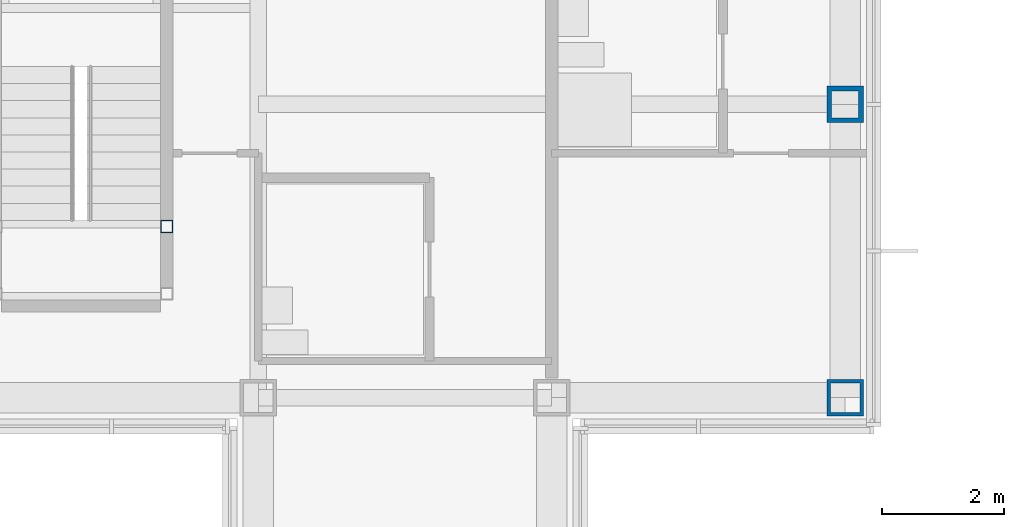
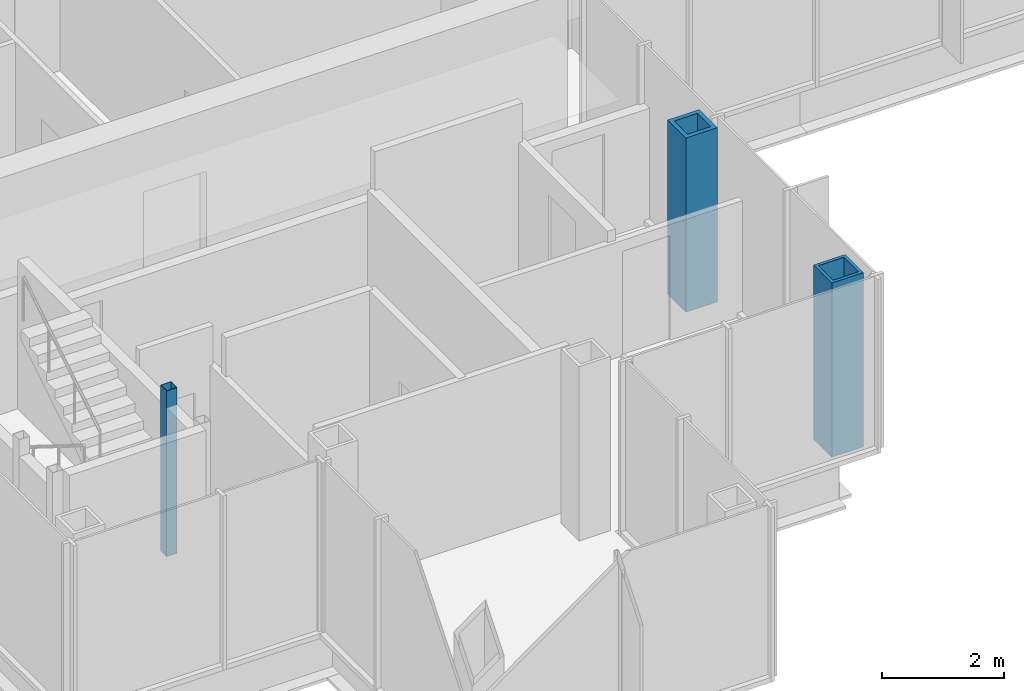
# One storey, part 2 of 17: 3 columns.
"""IFC4 building model written with IfcOpenShell, lengths in metres."""

from ifc_helpers import new_model, si_unit, direction, frame, origin, origin_2d, place, context, subcontext, project, spatial, hollow_rectangle, extrude, material, material_profile, profile_set, type_object, element, save


model = new_model("IFC4")

# Units and contexts
model_context = context("Model", 3, precision=1e-05, world=origin(), true_north=direction((0.0, 1.0)))
body_context = subcontext(model_context, "Body", "Model", "MODEL_VIEW")
ifc_project = project(units=[si_unit("LENGTHUNIT", "METRE"), si_unit("AREAUNIT", "SQUARE_METRE"), si_unit("VOLUMEUNIT", "CUBIC_METRE"), si_unit("PLANEANGLEUNIT", "RADIAN"), si_unit("MASSUNIT", "GRAM", prefix="KILO")], contexts=[model_context])

# Site, building, storey
site_placement = place(None, origin())
site = spatial("IfcSite", under=ifc_project, at=site_placement, CompositionType="ELEMENT")
building_placement = place(site_placement, origin())
building = spatial("IfcBuilding", under=site, at=building_placement, Name="Kvirike Care Tower", CompositionType="ELEMENT")
storey_placement = place(building_placement, frame((0.0, 0.0, 165.5)))
storey = spatial("IfcBuildingStorey", under=building, at=storey_placement, Name="L45", CompositionType="ELEMENT", Elevation=165.5)

# Columns
ifc_material_1 = material(Name="Steel S460", Category="steel")
ifc_material_profile_1 = material_profile(ifc_material_1, hollow_rectangle(XDim=0.60009765625, YDim=0.60009765625, WallThickness=0.06005859375, at=origin_2d()), Name="BX 600x600x60")
ifc_profile_set_1 = profile_set([ifc_material_profile_1], Name="Steel S460")
column_type_1 = type_object("IfcColumnType", Name="COLUMN BX 600x600x60", PredefinedType="COLUMN", material=ifc_profile_set_1)
column_1_placement = place(storey_placement, frame((28.800048828125, 19.199951171875, 0.0), z_axis=(0.0, 0.0, 1.0), x_axis=(0.0, 1.0, 0.0)))
element("IfcColumn", 1, at=column_1_placement, inside=storey, type_object=column_type_1, Name="Column E9 L45", PredefinedType="COLUMN", context=body_context, shape_type="SweptSolid", body=[
    extrude(hollow_rectangle(XDim=0.60009765625, YDim=0.60009765625, WallThickness=0.06005859375, at=origin_2d()), origin(), (0.0, 0.0, 1.0), 3.5),
])
ifc_material_2 = material(Name="Steel S460", Category="steel")
ifc_material_profile_2 = material_profile(ifc_material_2, hollow_rectangle(XDim=0.60009765625, YDim=0.60009765625, WallThickness=0.080078125, at=origin_2d()), Name="BX 600x600x80")
ifc_profile_set_2 = profile_set([ifc_material_profile_2], Name="Steel S460")
column_type_2 = type_object("IfcColumnType", Name="COLUMN BX 600x600x80", PredefinedType="COLUMN", material=ifc_profile_set_2)
column_2_placement = place(storey_placement, frame((28.800048828125, 24.0, 0.0), z_axis=(0.0, 0.0, 1.0), x_axis=(1.0, 0.0, 0.0)))
element("IfcColumn", 2, at=column_2_placement, inside=storey, type_object=column_type_2, Name="Column F9 L45", PredefinedType="COLUMN", context=body_context, shape_type="SweptSolid", body=[
    extrude(hollow_rectangle(XDim=0.60009765625, YDim=0.60009765625, WallThickness=0.080078125, at=origin_2d()), origin(), (0.0, 0.0, 1.0), 3.5),
])
ifc_material_3 = material(Name="Steel S460", Category="steel")
ifc_material_profile_3 = material_profile(ifc_material_3, hollow_rectangle(XDim=0.199951171875, YDim=0.199951171875, WallThickness=0.008056640625, at=origin_2d()), Name="SHS 200x200x8")
ifc_profile_set_3 = profile_set([ifc_material_profile_3], Name="Steel S460")
column_type_3 = type_object("IfcColumnType", Name="STAIR POST SHS 200x200x8", PredefinedType="COLUMN", material=ifc_profile_set_3)
column_3_placement = place(storey_placement, frame((17.699951171875, 22.0, 0.0), z_axis=(0.0, 0.0, 1.0), x_axis=(1.0, 0.0, 0.0)))
element("IfcColumn", 3, at=column_3_placement, inside=storey, type_object=column_type_3, Name="Stair 5 post 4 L45", PredefinedType="COLUMN", context=body_context, shape_type="SweptSolid", body=[
    extrude(hollow_rectangle(XDim=0.199951171875, YDim=0.199951171875, WallThickness=0.008056640625, at=origin_2d()), origin(), (0.0, 0.0, 1.0), 3.330078125),
])

save(model, "model.ifc")
